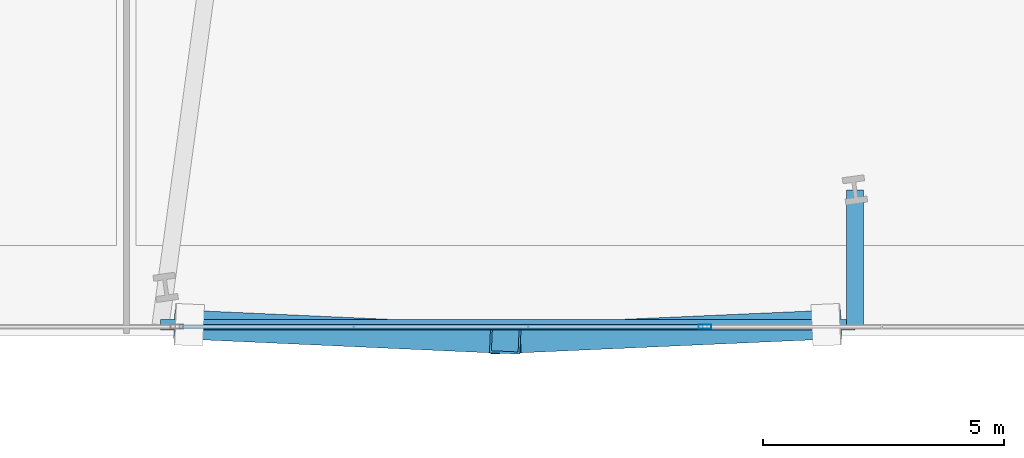
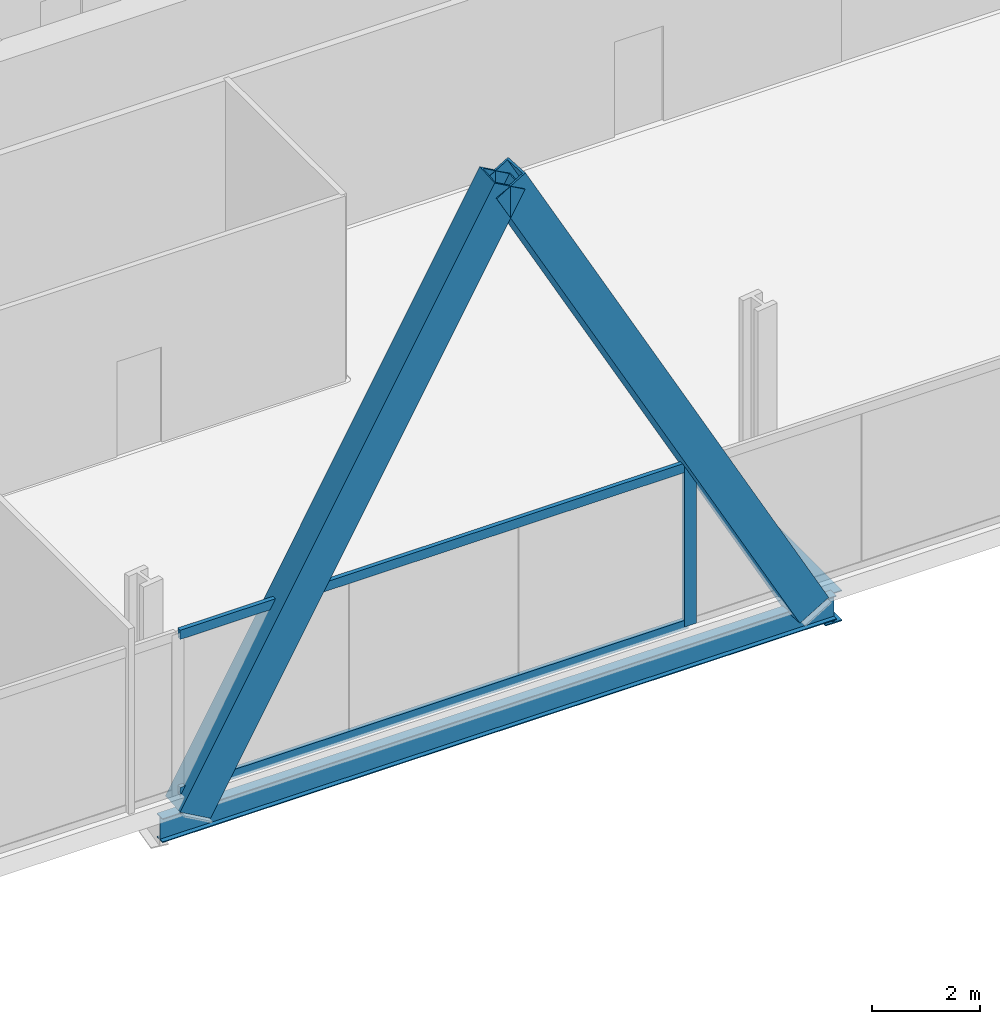
# One storey, part 3 of 29: 5 members, 2 beams, 1 element without a shape of its own.
"""IFC4 building model written with IfcOpenShell, lengths in metres."""

from ifc_helpers import new_model, si_unit, direction, frame, origin, origin_2d, place, context, subcontext, project, spatial, hollow_rectangle, i_section, extrude, material, material_profile, profile_set, type_object, element, aggregate, save


model = new_model("IFC4")

# Units and contexts
model_context = context("Model", 3, precision=1e-05, world=origin(), true_north=direction((0.0, 1.0)))
body_context = subcontext(model_context, "Body", "Model", "MODEL_VIEW")
ifc_project = project(units=[si_unit("LENGTHUNIT", "METRE"), si_unit("AREAUNIT", "SQUARE_METRE"), si_unit("VOLUMEUNIT", "CUBIC_METRE"), si_unit("PLANEANGLEUNIT", "RADIAN"), si_unit("MASSUNIT", "GRAM", prefix="KILO")], contexts=[model_context])

# Site, building, storey
site_placement = place(None, origin())
site = spatial("IfcSite", under=ifc_project, at=site_placement, CompositionType="ELEMENT")
building_placement = place(site_placement, origin())
building = spatial("IfcBuilding", under=site, at=building_placement, Name="Haldenkirk Collegiate Tower", CompositionType="ELEMENT")
storey_placement = place(building_placement, frame((0.0, 0.0, 28.199951171875)))
storey = spatial("IfcBuildingStorey", under=building, at=storey_placement, Name="L05", CompositionType="ELEMENT", Elevation=28.199951171875)

# Beams
ifc_material_1 = material(Name="Steel ASTM A992 Grade 50", Category="steel")
ifc_material_profile_1 = material_profile(ifc_material_1, i_section(OverallWidth=0.35498046875, OverallDepth=0.696044921875, WebThickness=0.015380859375, FlangeThickness=0.02490234375, at=origin_2d()), Name="W27X146")
ifc_profile_set_1 = profile_set([ifc_material_profile_1], Name="Steel ASTM A992 Grade 50")
beam_type_1 = type_object("IfcBeamType", Name="BM-GIRDER-W27X146", PredefinedType="BEAM", material=ifc_profile_set_1)
beam_1_placement = place(storey_placement, frame((39.10888671875, 4.018798828125, -0.758056640625), z_axis=(0.0, -1.0, 0.0), x_axis=(1.0, 0.0, 0.0)))
element("IfcBeam", 1, at=beam_1_placement, inside=storey, type_object=beam_type_1, Name="L05 facade lookout girder 06", PredefinedType="BEAM", context=body_context, shape_type="SweptSolid", body=[
    extrude(i_section(OverallWidth=0.35498046875, OverallDepth=0.696044921875, WebThickness=0.015380859375, FlangeThickness=0.02490234375, at=origin_2d()), origin(), (0.0, 0.0, 1.0), 2.798828125),
])
ifc_material_profile_2 = material_profile(ifc_material_1, i_section(OverallWidth=0.2119140625, OverallDepth=0.5439453125, WebThickness=0.01318359375, FlangeThickness=0.021240234375, at=origin_2d()), Name="W21X83")
ifc_profile_set_2 = profile_set([ifc_material_profile_2], Name="Steel ASTM A992 Grade 50")
beam_type_2 = type_object("IfcBeamType", Name="BM-SPANDREL-W21X83", PredefinedType="SPANDREL", material=ifc_profile_set_2)
beam_2_placement = place(storey_placement, frame((24.708984375, 1.219970703125, -0.681884765625), z_axis=(1.0, 0.0, 0.0), x_axis=(0.0, 1.0, 0.0)))
element("IfcBeam", 2, at=beam_2_placement, inside=storey, type_object=beam_type_2, Name="L05 outer facade edge beam 1", PredefinedType="SPANDREL", context=body_context, shape_type="SweptSolid", body=[
    extrude(i_section(OverallWidth=0.2119140625, OverallDepth=0.5439453125, WebThickness=0.01318359375, FlangeThickness=0.021240234375, at=origin_2d()), origin(), (0.0, 0.0, 1.0), 14.39990234375),
])

# Curtain wall, members
ifc_material_2 = material(Name="Anodised architectural bronze aluminium", Category="aluminium")
curtain_wall_type = type_object("IfcCurtainWallType", Name="CW-SYS4-SKYGARDEN", PredefinedType="USERDEFINED", material=ifc_material_2)
curtain_wall_placement = place(storey_placement, origin())
curtain_wall = element("IfcCurtainWall", 3, at=curtain_wall_placement, inside=storey, type_object=curtain_wall_type, Name="L05 Sky-garden tall bronze curtain wall", ObjectType="UNITISED CURTAIN WALL", PredefinedType="USERDEFINED")
ifc_material_profile_3 = material_profile(ifc_material_2, hollow_rectangle(XDim=0.090087890625, YDim=0.260009765625, WallThickness=0.0048828125, at=origin_2d()), Name="CW-MUL-04")
ifc_profile_set_3 = profile_set([ifc_material_profile_3], Name="Anodised architectural bronze aluminium")
member_type_1 = type_object("IfcMemberType", Name="CW-MUL-04", PredefinedType="MULLION", material=ifc_profile_set_3)
member_1_placement = place(storey_placement, frame((36.0, 1.179931640625, 0.0), z_axis=(0.0, 0.0, 1.0), x_axis=(0.0, -1.0, 0.0)))
member_1 = element("IfcMember", 4, at=member_1_placement, type_object=member_type_1, Name="CW-04 mullion 3", PredefinedType="MULLION", context=body_context, shape_type="SweptSolid", body=[
    extrude(hollow_rectangle(XDim=0.090087890625, YDim=0.260009765625, WallThickness=0.0048828125, at=origin_2d()), origin(), (0.0, 0.0, 1.0), 3.64111328125),
])
ifc_material_profile_4 = material_profile(ifc_material_2, hollow_rectangle(XDim=0.090087890625, YDim=0.2099609375, WallThickness=0.0048828125, at=origin_2d()), Name="CW-TRN-04")
ifc_profile_set_4 = profile_set([ifc_material_profile_4], Name="Anodised architectural bronze aluminium")
member_type_2 = type_object("IfcMemberType", Name="CW-TRN-04", PredefinedType="USERDEFINED", material=ifc_profile_set_4)
member_2_placement = place(storey_placement, frame((35.955078125, 1.179931640625, 0.045166015625), z_axis=(-1.0, 0.0, 0.0), x_axis=(0.0, -1.0, 0.0)))
member_2 = element("IfcMember", 5, at=member_2_placement, type_object=member_type_2, Name="CW-04 transom 3.1", ObjectType="TRANSOM", PredefinedType="USERDEFINED", context=body_context, shape_type="SweptSolid", body=[
    extrude(hollow_rectangle(XDim=0.090087890625, YDim=0.2099609375, WallThickness=0.0048828125, at=origin_2d()), origin(), (0.0, 0.0, 1.0), 10.860107421875),
])
member_3_placement = place(storey_placement, frame((35.955078125, 1.179931640625, 3.595947265625), z_axis=(-1.0, 0.0, 0.0), x_axis=(0.0, -1.0, 0.0)))
member_3 = element("IfcMember", 6, at=member_3_placement, type_object=member_type_2, Name="CW-04 transom 3.2", ObjectType="TRANSOM", PredefinedType="USERDEFINED", context=body_context, shape_type="SweptSolid", body=[
    extrude(hollow_rectangle(XDim=0.090087890625, YDim=0.2099609375, WallThickness=0.0048828125, at=origin_2d()), origin(), (0.0, 0.0, 1.0), 10.860107421875),
])
aggregate(curtain_wall, [member_1, member_2, member_3])

# Members
ifc_material_3 = material(Name="Steel ASTM A572 Grade 50", Category="steel")
ifc_material_profile_5 = material_profile(ifc_material_3, hollow_rectangle(XDim=0.60009765625, YDim=0.719970703125, WallThickness=0.044921875, at=origin_2d()), Name="BOX720X600X45")
ifc_profile_set_5 = profile_set([ifc_material_profile_5], Name="Steel ASTM A572 Grade 50")
member_type_3 = type_object("IfcMemberType", Name="MBR-MEGABRACE-BOX720X600X45", PredefinedType="BRACE", material=ifc_profile_set_5)
member_4_placement = place(storey_placement, frame((25.30908203125, 1.219970703125, -0.419921875), z_axis=(0.475933332983, -0.02141238754, 0.879220661845), x_axis=(0.044944844571, 0.998989469888, 0.0)))
element("IfcMember", 7, at=member_4_placement, inside=storey, type_object=member_type_3, Name="Perimeter Mega Brace Z1 L05-L07 SL", PredefinedType="BRACE", context=body_context, shape_type="SweptSolid", body=[
    extrude(hollow_rectangle(XDim=0.60009765625, YDim=0.719970703125, WallThickness=0.044921875, at=origin_2d()), origin(), (0.0, 0.0, 1.0), 13.761962890625),
])
member_5_placement = place(storey_placement, frame((38.5087890625, 1.219970703125, -0.419921875), z_axis=(-0.481530078998, -0.021338086693, 0.876169771834), x_axis=(0.04426964827, -0.999019618547, 0.0)))
element("IfcMember", 8, at=member_5_placement, inside=storey, type_object=member_type_3, Name="Perimeter Mega Brace Z1 L05-L07 SR", PredefinedType="BRACE", context=body_context, shape_type="SweptSolid", body=[
    extrude(hollow_rectangle(XDim=0.60009765625, YDim=0.719970703125, WallThickness=0.044921875, at=origin_2d()), origin(), (0.0, 0.0, 1.0), 13.81005859375),
])

save(model, "model.ifc")
